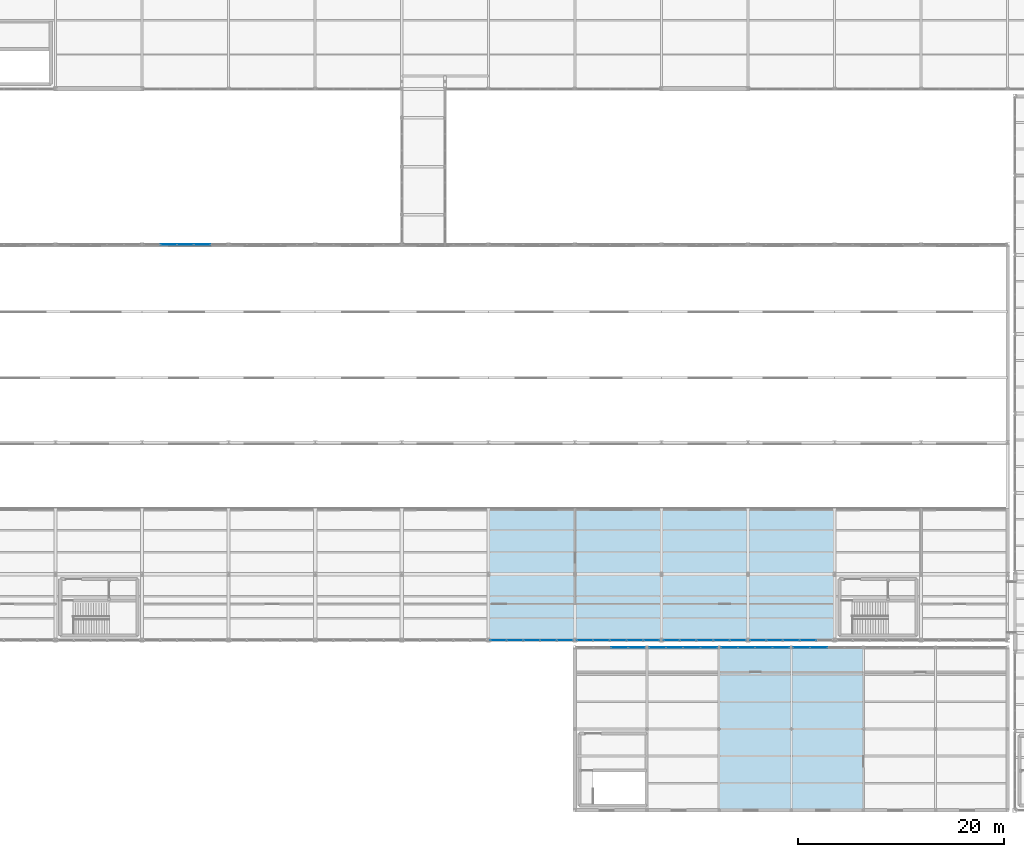
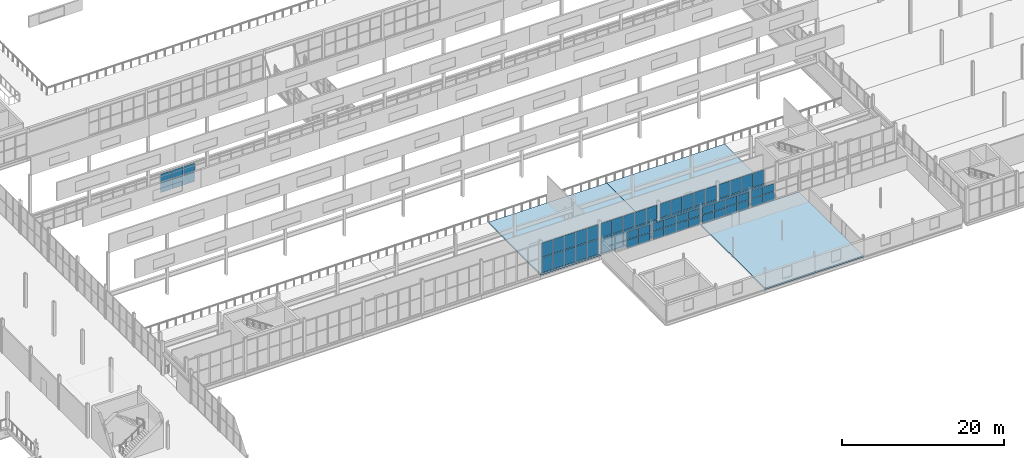
# One storey, part 181 of 218: 68 plates, 3 slabs, 9 elements without a shape of their own.
"""IFC4 building model written with IfcOpenShell, lengths in metres."""

from ifc_helpers import new_model, si_unit, direction, frame, origin, origin_2d, place, context, subcontext, project, spatial, polyline, rectangle, outline, extrude, material, layer, layer_set, type_object, element, aggregate, save


model = new_model("IFC4")

# Units and contexts
model_context = context("Model", 3, precision=1e-05, world=origin(), true_north=direction((0.0, 1.0)))
body_context = subcontext(model_context, "Body", "Model", "MODEL_VIEW")
ifc_project = project(units=[si_unit("LENGTHUNIT", "METRE"), si_unit("AREAUNIT", "SQUARE_METRE"), si_unit("VOLUMEUNIT", "CUBIC_METRE"), si_unit("PLANEANGLEUNIT", "RADIAN"), si_unit("MASSUNIT", "GRAM", prefix="KILO")], contexts=[model_context])

# Site, building, storey
site_placement = place(None, origin())
site = spatial("IfcSite", under=ifc_project, at=site_placement, CompositionType="ELEMENT")
building_placement = place(site_placement, origin())
building = spatial("IfcBuilding", under=site, at=building_placement, Name="Kazenagashi Tramway Depot", CompositionType="ELEMENT")
storey_placement = place(building_placement, frame((0.0, 0.0, 6.0)))
storey = spatial("IfcBuildingStorey", under=building, at=storey_placement, Name="L02", CompositionType="ELEMENT", Elevation=6.0)

# Curtain wall, plates
ifc_material_1 = material(Name="Anodised Aluminium and Low-E Glazing", Category="aluminium")
curtain_wall_type_1 = type_object("IfcCurtainWallType", Name="CW-32", PredefinedType="USERDEFINED", material=ifc_material_1)
curtain_wall_1_placement = place(storey_placement, origin())
curtain_wall_1 = element("IfcCurtainWall", 1, at=curtain_wall_1_placement, inside=storey, type_object=curtain_wall_type_1, Name="Industrial Glazed Screen CW-32 CW-0177", ObjectType="GLAZED SCREEN", PredefinedType="USERDEFINED")
ifc_material_2 = material(Name="Tempered Laminated Low-E Glass", Category="glass")
ifc_layer_1 = layer(ifc_material_2, 0.016)
ifc_layer_set_1 = layer_set([ifc_layer_1], Name="Tempered Laminated Low-E Glass")
plate_type_1 = type_object("IfcPlateType", Name="GL-01", PredefinedType="CURTAIN_PANEL", material=ifc_layer_set_1)
plate_1_placement = place(storey_placement, frame((125.595, 15.8, 0.06), z_axis=(0.0, 0.0, 1.0), x_axis=(1.0, 0.0, 0.0)))
plate_1 = element("IfcPlate", 2, at=plate_1_placement, type_object=plate_type_1, Name="CW-32 panel 1.1", PredefinedType="CURTAIN_PANEL", context=body_context, shape_type="SweptSolid", body=[
    extrude(rectangle(XDim=1.59, YDim=0.016, at=origin_2d()), origin(), (0.0, 0.0, 1.0), 1.262),
])
plate_2_placement = place(storey_placement, frame((125.595, 15.8, 1.382), z_axis=(0.0, 0.0, 1.0), x_axis=(1.0, 0.0, 0.0)))
plate_2 = element("IfcPlate", 3, at=plate_2_placement, type_object=plate_type_1, Name="CW-32 panel 1.2", PredefinedType="CURTAIN_PANEL", context=body_context, shape_type="SweptSolid", body=[
    extrude(rectangle(XDim=1.59, YDim=0.016, at=origin_2d()), origin(), (0.0, 0.0, 1.0), 1.158),
])
plate_3_placement = place(storey_placement, frame((127.26, 15.8, 0.06), z_axis=(0.0, 0.0, 1.0), x_axis=(1.0, 0.0, 0.0)))
plate_3 = element("IfcPlate", 4, at=plate_3_placement, type_object=plate_type_1, Name="CW-32 panel 2.1", PredefinedType="CURTAIN_PANEL", context=body_context, shape_type="SweptSolid", body=[
    extrude(rectangle(XDim=1.62, YDim=0.016, at=origin_2d()), origin(), (0.0, 0.0, 1.0), 1.262),
])
plate_4_placement = place(storey_placement, frame((127.26, 15.8, 1.382), z_axis=(0.0, 0.0, 1.0), x_axis=(1.0, 0.0, 0.0)))
plate_4 = element("IfcPlate", 5, at=plate_4_placement, type_object=plate_type_1, Name="CW-32 panel 2.2", PredefinedType="CURTAIN_PANEL", context=body_context, shape_type="SweptSolid", body=[
    extrude(rectangle(XDim=1.62, YDim=0.016, at=origin_2d()), origin(), (0.0, 0.0, 1.0), 1.158),
])
aggregate(curtain_wall_1, [plate_1, plate_2, plate_3, plate_4])

curtain_wall_type_2 = type_object("IfcCurtainWallType", Name="CW-20", PredefinedType="USERDEFINED", material=ifc_material_1)
curtain_wall_2_placement = place(storey_placement, origin())
curtain_wall_2 = element("IfcCurtainWall", 6, at=curtain_wall_2_placement, inside=storey, type_object=curtain_wall_type_2, Name="Industrial Glazed Screen CW-20 CW-0101", ObjectType="GLAZED SCREEN", PredefinedType="USERDEFINED")
ifc_layer_2 = layer(ifc_material_2, 0.024)
ifc_layer_set_2 = layer_set([ifc_layer_2], Name="Tempered Laminated Low-E Glass")
plate_type_2 = type_object("IfcPlateType", Name="GL-05", PredefinedType="CURTAIN_PANEL", material=ifc_layer_set_2)
plate_5_placement = place(storey_placement, frame((96.167, 16.5, 0.06), z_axis=(0.0, 0.0, 1.0), x_axis=(1.0, 0.0, 0.0)))
plate_5 = element("IfcPlate", 7, at=plate_5_placement, type_object=plate_type_2, Name="CW-20 panel 1.1", PredefinedType="CURTAIN_PANEL", context=body_context, shape_type="SweptSolid", body=[
    extrude(rectangle(XDim=1.534, YDim=0.024, at=origin_2d()), origin(), (0.0, 0.0, 1.0), 2.302),
])
plate_6_placement = place(storey_placement, frame((96.167, 16.5, 2.422), z_axis=(0.0, 0.0, 1.0), x_axis=(1.0, 0.0, 0.0)))
plate_6 = element("IfcPlate", 8, at=plate_6_placement, type_object=plate_type_2, Name="CW-20 panel 1.2", PredefinedType="CURTAIN_PANEL", context=body_context, shape_type="SweptSolid", body=[
    extrude(rectangle(XDim=1.534, YDim=0.024, at=origin_2d()), origin(), (0.0, 0.0, 1.0), 2.118),
])
plate_7_placement = place(storey_placement, frame((97.776, 16.5, 0.06), z_axis=(0.0, 0.0, 1.0), x_axis=(1.0, 0.0, 0.0)))
plate_7 = element("IfcPlate", 9, at=plate_7_placement, type_object=plate_type_2, Name="CW-20 panel 2.1", PredefinedType="CURTAIN_PANEL", context=body_context, shape_type="SweptSolid", body=[
    extrude(rectangle(XDim=1.564, YDim=0.024, at=origin_2d()), origin(), (0.0, 0.0, 1.0), 2.302),
])
plate_8_placement = place(storey_placement, frame((97.776, 16.5, 2.422), z_axis=(0.0, 0.0, 1.0), x_axis=(1.0, 0.0, 0.0)))
plate_8 = element("IfcPlate", 10, at=plate_8_placement, type_object=plate_type_2, Name="CW-20 panel 2.2", PredefinedType="CURTAIN_PANEL", context=body_context, shape_type="SweptSolid", body=[
    extrude(rectangle(XDim=1.564, YDim=0.024, at=origin_2d()), origin(), (0.0, 0.0, 1.0), 2.118),
])
plate_9_placement = place(storey_placement, frame((99.4, 16.5, 0.06), z_axis=(0.0, 0.0, 1.0), x_axis=(1.0, 0.0, 0.0)))
plate_9 = element("IfcPlate", 11, at=plate_9_placement, type_object=plate_type_2, Name="CW-20 panel 3.1", PredefinedType="CURTAIN_PANEL", context=body_context, shape_type="SweptSolid", body=[
    extrude(rectangle(XDim=1.564, YDim=0.024, at=origin_2d()), origin(), (0.0, 0.0, 1.0), 2.302),
])
plate_10_placement = place(storey_placement, frame((99.4, 16.5, 2.422), z_axis=(0.0, 0.0, 1.0), x_axis=(1.0, 0.0, 0.0)))
plate_10 = element("IfcPlate", 12, at=plate_10_placement, type_object=plate_type_2, Name="CW-20 panel 3.2", PredefinedType="CURTAIN_PANEL", context=body_context, shape_type="SweptSolid", body=[
    extrude(rectangle(XDim=1.564, YDim=0.024, at=origin_2d()), origin(), (0.0, 0.0, 1.0), 2.118),
])
plate_11_placement = place(storey_placement, frame((101.024, 16.5, 0.06), z_axis=(0.0, 0.0, 1.0), x_axis=(1.0, 0.0, 0.0)))
plate_11 = element("IfcPlate", 13, at=plate_11_placement, type_object=plate_type_2, Name="CW-20 panel 4.1", PredefinedType="CURTAIN_PANEL", context=body_context, shape_type="SweptSolid", body=[
    extrude(rectangle(XDim=1.564, YDim=0.024, at=origin_2d()), origin(), (0.0, 0.0, 1.0), 2.302),
])
plate_12_placement = place(storey_placement, frame((101.024, 16.5, 2.422), z_axis=(0.0, 0.0, 1.0), x_axis=(1.0, 0.0, 0.0)))
plate_12 = element("IfcPlate", 14, at=plate_12_placement, type_object=plate_type_2, Name="CW-20 panel 4.2", PredefinedType="CURTAIN_PANEL", context=body_context, shape_type="SweptSolid", body=[
    extrude(rectangle(XDim=1.564, YDim=0.024, at=origin_2d()), origin(), (0.0, 0.0, 1.0), 2.118),
])
plate_13_placement = place(storey_placement, frame((102.633, 16.5, 0.06), z_axis=(0.0, 0.0, 1.0), x_axis=(1.0, 0.0, 0.0)))
plate_13 = element("IfcPlate", 15, at=plate_13_placement, type_object=plate_type_2, Name="CW-20 panel 5.1", PredefinedType="CURTAIN_PANEL", context=body_context, shape_type="SweptSolid", body=[
    extrude(rectangle(XDim=1.534, YDim=0.024, at=origin_2d()), origin(), (0.0, 0.0, 1.0), 2.302),
])
plate_14_placement = place(storey_placement, frame((102.633, 16.5, 2.422), z_axis=(0.0, 0.0, 1.0), x_axis=(1.0, 0.0, 0.0)))
plate_14 = element("IfcPlate", 16, at=plate_14_placement, type_object=plate_type_2, Name="CW-20 panel 5.2", PredefinedType="CURTAIN_PANEL", context=body_context, shape_type="SweptSolid", body=[
    extrude(rectangle(XDim=1.534, YDim=0.024, at=origin_2d()), origin(), (0.0, 0.0, 1.0), 2.118),
])
aggregate(curtain_wall_2, [plate_5, plate_6, plate_7, plate_8, plate_9, plate_10, plate_11, plate_12, plate_13, plate_14])

curtain_wall_3_placement = place(storey_placement, origin())
curtain_wall_3 = element("IfcCurtainWall", 17, at=curtain_wall_3_placement, inside=storey, type_object=curtain_wall_type_2, Name="Industrial Glazed Screen CW-20 CW-0102", ObjectType="GLAZED SCREEN", PredefinedType="USERDEFINED")
ifc_layer_3 = layer(ifc_material_2, 0.026)
ifc_layer_set_3 = layer_set([ifc_layer_3], Name="Tempered Laminated Low-E Glass")
plate_type_3 = type_object("IfcPlateType", Name="GL-06", PredefinedType="CURTAIN_PANEL", material=ifc_layer_set_3)
plate_15_placement = place(storey_placement, frame((104.567, 16.5, 0.06), z_axis=(0.0, 0.0, 1.0), x_axis=(1.0, 0.0, 0.0)))
plate_15 = element("IfcPlate", 18, at=plate_15_placement, type_object=plate_type_3, Name="CW-20 panel 1.1", PredefinedType="CURTAIN_PANEL", context=body_context, shape_type="SweptSolid", body=[
    extrude(rectangle(XDim=1.534, YDim=0.026, at=origin_2d()), origin(), (0.0, 0.0, 1.0), 2.302),
])
plate_16_placement = place(storey_placement, frame((104.567, 16.5, 2.422), z_axis=(0.0, 0.0, 1.0), x_axis=(1.0, 0.0, 0.0)))
plate_16 = element("IfcPlate", 19, at=plate_16_placement, type_object=plate_type_3, Name="CW-20 panel 1.2", PredefinedType="CURTAIN_PANEL", context=body_context, shape_type="SweptSolid", body=[
    extrude(rectangle(XDim=1.534, YDim=0.026, at=origin_2d()), origin(), (0.0, 0.0, 1.0), 2.118),
])
plate_17_placement = place(storey_placement, frame((106.176, 16.5, 0.06), z_axis=(0.0, 0.0, 1.0), x_axis=(1.0, 0.0, 0.0)))
plate_17 = element("IfcPlate", 20, at=plate_17_placement, type_object=plate_type_3, Name="CW-20 panel 2.1", PredefinedType="CURTAIN_PANEL", context=body_context, shape_type="SweptSolid", body=[
    extrude(rectangle(XDim=1.564, YDim=0.026, at=origin_2d()), origin(), (0.0, 0.0, 1.0), 2.302),
])
plate_18_placement = place(storey_placement, frame((106.176, 16.5, 2.422), z_axis=(0.0, 0.0, 1.0), x_axis=(1.0, 0.0, 0.0)))
plate_18 = element("IfcPlate", 21, at=plate_18_placement, type_object=plate_type_3, Name="CW-20 panel 2.2", PredefinedType="CURTAIN_PANEL", context=body_context, shape_type="SweptSolid", body=[
    extrude(rectangle(XDim=1.564, YDim=0.026, at=origin_2d()), origin(), (0.0, 0.0, 1.0), 2.118),
])
plate_19_placement = place(storey_placement, frame((107.8, 16.5, 0.06), z_axis=(0.0, 0.0, 1.0), x_axis=(1.0, 0.0, 0.0)))
plate_19 = element("IfcPlate", 22, at=plate_19_placement, type_object=plate_type_3, Name="CW-20 panel 3.1", PredefinedType="CURTAIN_PANEL", context=body_context, shape_type="SweptSolid", body=[
    extrude(rectangle(XDim=1.564, YDim=0.026, at=origin_2d()), origin(), (0.0, 0.0, 1.0), 2.302),
])
plate_20_placement = place(storey_placement, frame((107.8, 16.5, 2.422), z_axis=(0.0, 0.0, 1.0), x_axis=(1.0, 0.0, 0.0)))
plate_20 = element("IfcPlate", 23, at=plate_20_placement, type_object=plate_type_3, Name="CW-20 panel 3.2", PredefinedType="CURTAIN_PANEL", context=body_context, shape_type="SweptSolid", body=[
    extrude(rectangle(XDim=1.564, YDim=0.026, at=origin_2d()), origin(), (0.0, 0.0, 1.0), 2.118),
])
plate_21_placement = place(storey_placement, frame((109.424, 16.5, 0.06), z_axis=(0.0, 0.0, 1.0), x_axis=(1.0, 0.0, 0.0)))
plate_21 = element("IfcPlate", 24, at=plate_21_placement, type_object=plate_type_3, Name="CW-20 panel 4.1", PredefinedType="CURTAIN_PANEL", context=body_context, shape_type="SweptSolid", body=[
    extrude(rectangle(XDim=1.564, YDim=0.026, at=origin_2d()), origin(), (0.0, 0.0, 1.0), 2.302),
])
plate_22_placement = place(storey_placement, frame((109.424, 16.5, 2.422), z_axis=(0.0, 0.0, 1.0), x_axis=(1.0, 0.0, 0.0)))
plate_22 = element("IfcPlate", 25, at=plate_22_placement, type_object=plate_type_3, Name="CW-20 panel 4.2", PredefinedType="CURTAIN_PANEL", context=body_context, shape_type="SweptSolid", body=[
    extrude(rectangle(XDim=1.564, YDim=0.026, at=origin_2d()), origin(), (0.0, 0.0, 1.0), 2.118),
])
plate_23_placement = place(storey_placement, frame((111.033, 16.5, 0.06), z_axis=(0.0, 0.0, 1.0), x_axis=(1.0, 0.0, 0.0)))
plate_23 = element("IfcPlate", 26, at=plate_23_placement, type_object=plate_type_3, Name="CW-20 panel 5.1", PredefinedType="CURTAIN_PANEL", context=body_context, shape_type="SweptSolid", body=[
    extrude(rectangle(XDim=1.534, YDim=0.026, at=origin_2d()), origin(), (0.0, 0.0, 1.0), 2.302),
])
plate_24_placement = place(storey_placement, frame((111.033, 16.5, 2.422), z_axis=(0.0, 0.0, 1.0), x_axis=(1.0, 0.0, 0.0)))
plate_24 = element("IfcPlate", 27, at=plate_24_placement, type_object=plate_type_3, Name="CW-20 panel 5.2", PredefinedType="CURTAIN_PANEL", context=body_context, shape_type="SweptSolid", body=[
    extrude(rectangle(XDim=1.534, YDim=0.026, at=origin_2d()), origin(), (0.0, 0.0, 1.0), 2.118),
])
aggregate(curtain_wall_3, [plate_15, plate_16, plate_17, plate_18, plate_19, plate_20, plate_21, plate_22, plate_23, plate_24])

curtain_wall_4_placement = place(storey_placement, origin())
curtain_wall_4 = element("IfcCurtainWall", 28, at=curtain_wall_4_placement, inside=storey, type_object=curtain_wall_type_2, Name="Industrial Glazed Screen CW-20 CW-0103", ObjectType="GLAZED SCREEN", PredefinedType="USERDEFINED")
ifc_layer_4 = layer(ifc_material_2, 0.028)
ifc_layer_set_4 = layer_set([ifc_layer_4], Name="Tempered Laminated Low-E Glass")
plate_type_4 = type_object("IfcPlateType", Name="GL-07", PredefinedType="CURTAIN_PANEL", material=ifc_layer_set_4)
plate_25_placement = place(storey_placement, frame((112.967, 16.5, 0.06), z_axis=(0.0, 0.0, 1.0), x_axis=(1.0, 0.0, 0.0)))
plate_25 = element("IfcPlate", 29, at=plate_25_placement, type_object=plate_type_4, Name="CW-20 panel 1.1", PredefinedType="CURTAIN_PANEL", context=body_context, shape_type="SweptSolid", body=[
    extrude(rectangle(XDim=1.534, YDim=0.028, at=origin_2d()), origin(), (0.0, 0.0, 1.0), 2.302),
])
plate_26_placement = place(storey_placement, frame((112.967, 16.5, 2.422), z_axis=(0.0, 0.0, 1.0), x_axis=(1.0, 0.0, 0.0)))
plate_26 = element("IfcPlate", 30, at=plate_26_placement, type_object=plate_type_4, Name="CW-20 panel 1.2", PredefinedType="CURTAIN_PANEL", context=body_context, shape_type="SweptSolid", body=[
    extrude(rectangle(XDim=1.534, YDim=0.028, at=origin_2d()), origin(), (0.0, 0.0, 1.0), 2.118),
])
plate_27_placement = place(storey_placement, frame((114.576, 16.5, 0.06), z_axis=(0.0, 0.0, 1.0), x_axis=(1.0, 0.0, 0.0)))
plate_27 = element("IfcPlate", 31, at=plate_27_placement, type_object=plate_type_4, Name="CW-20 panel 2.1", PredefinedType="CURTAIN_PANEL", context=body_context, shape_type="SweptSolid", body=[
    extrude(rectangle(XDim=1.564, YDim=0.028, at=origin_2d()), origin(), (0.0, 0.0, 1.0), 2.302),
])
plate_28_placement = place(storey_placement, frame((114.576, 16.5, 2.422), z_axis=(0.0, 0.0, 1.0), x_axis=(1.0, 0.0, 0.0)))
plate_28 = element("IfcPlate", 32, at=plate_28_placement, type_object=plate_type_4, Name="CW-20 panel 2.2", PredefinedType="CURTAIN_PANEL", context=body_context, shape_type="SweptSolid", body=[
    extrude(rectangle(XDim=1.564, YDim=0.028, at=origin_2d()), origin(), (0.0, 0.0, 1.0), 2.118),
])
plate_29_placement = place(storey_placement, frame((116.2, 16.5, 0.06), z_axis=(0.0, 0.0, 1.0), x_axis=(1.0, 0.0, 0.0)))
plate_29 = element("IfcPlate", 33, at=plate_29_placement, type_object=plate_type_4, Name="CW-20 panel 3.1", PredefinedType="CURTAIN_PANEL", context=body_context, shape_type="SweptSolid", body=[
    extrude(rectangle(XDim=1.564, YDim=0.028, at=origin_2d()), origin(), (0.0, 0.0, 1.0), 2.302),
])
plate_30_placement = place(storey_placement, frame((116.2, 16.5, 2.422), z_axis=(0.0, 0.0, 1.0), x_axis=(1.0, 0.0, 0.0)))
plate_30 = element("IfcPlate", 34, at=plate_30_placement, type_object=plate_type_4, Name="CW-20 panel 3.2", PredefinedType="CURTAIN_PANEL", context=body_context, shape_type="SweptSolid", body=[
    extrude(rectangle(XDim=1.564, YDim=0.028, at=origin_2d()), origin(), (0.0, 0.0, 1.0), 2.118),
])
plate_31_placement = place(storey_placement, frame((117.824, 16.5, 0.06), z_axis=(0.0, 0.0, 1.0), x_axis=(1.0, 0.0, 0.0)))
plate_31 = element("IfcPlate", 35, at=plate_31_placement, type_object=plate_type_4, Name="CW-20 panel 4.1", PredefinedType="CURTAIN_PANEL", context=body_context, shape_type="SweptSolid", body=[
    extrude(rectangle(XDim=1.564, YDim=0.028, at=origin_2d()), origin(), (0.0, 0.0, 1.0), 2.302),
])
plate_32_placement = place(storey_placement, frame((117.824, 16.5, 2.422), z_axis=(0.0, 0.0, 1.0), x_axis=(1.0, 0.0, 0.0)))
plate_32 = element("IfcPlate", 36, at=plate_32_placement, type_object=plate_type_4, Name="CW-20 panel 4.2", PredefinedType="CURTAIN_PANEL", context=body_context, shape_type="SweptSolid", body=[
    extrude(rectangle(XDim=1.564, YDim=0.028, at=origin_2d()), origin(), (0.0, 0.0, 1.0), 2.118),
])
plate_33_placement = place(storey_placement, frame((119.433, 16.5, 0.06), z_axis=(0.0, 0.0, 1.0), x_axis=(1.0, 0.0, 0.0)))
plate_33 = element("IfcPlate", 37, at=plate_33_placement, type_object=plate_type_4, Name="CW-20 panel 5.1", PredefinedType="CURTAIN_PANEL", context=body_context, shape_type="SweptSolid", body=[
    extrude(rectangle(XDim=1.534, YDim=0.028, at=origin_2d()), origin(), (0.0, 0.0, 1.0), 2.302),
])
plate_34_placement = place(storey_placement, frame((119.433, 16.5, 2.422), z_axis=(0.0, 0.0, 1.0), x_axis=(1.0, 0.0, 0.0)))
plate_34 = element("IfcPlate", 38, at=plate_34_placement, type_object=plate_type_4, Name="CW-20 panel 5.2", PredefinedType="CURTAIN_PANEL", context=body_context, shape_type="SweptSolid", body=[
    extrude(rectangle(XDim=1.534, YDim=0.028, at=origin_2d()), origin(), (0.0, 0.0, 1.0), 2.118),
])
aggregate(curtain_wall_4, [plate_25, plate_26, plate_27, plate_28, plate_29, plate_30, plate_31, plate_32, plate_33, plate_34])

curtain_wall_5_placement = place(storey_placement, origin())
curtain_wall_5 = element("IfcCurtainWall", 39, at=curtain_wall_5_placement, inside=storey, type_object=curtain_wall_type_2, Name="Industrial Glazed Screen CW-20 CW-0104", ObjectType="GLAZED SCREEN", PredefinedType="USERDEFINED")
ifc_layer_5 = layer(ifc_material_2, 0.03)
ifc_layer_set_5 = layer_set([ifc_layer_5], Name="Tempered Laminated Low-E Glass")
plate_type_5 = type_object("IfcPlateType", Name="GL-08", PredefinedType="CURTAIN_PANEL", material=ifc_layer_set_5)
plate_35_placement = place(storey_placement, frame((121.367, 16.5, 0.06), z_axis=(0.0, 0.0, 1.0), x_axis=(1.0, 0.0, 0.0)))
plate_35 = element("IfcPlate", 40, at=plate_35_placement, type_object=plate_type_5, Name="CW-20 panel 1.1", PredefinedType="CURTAIN_PANEL", context=body_context, shape_type="SweptSolid", body=[
    extrude(rectangle(XDim=1.534, YDim=0.03, at=origin_2d()), origin(), (0.0, 0.0, 1.0), 2.302),
])
plate_36_placement = place(storey_placement, frame((121.367, 16.5, 2.422), z_axis=(0.0, 0.0, 1.0), x_axis=(1.0, 0.0, 0.0)))
plate_36 = element("IfcPlate", 41, at=plate_36_placement, type_object=plate_type_5, Name="CW-20 panel 1.2", PredefinedType="CURTAIN_PANEL", context=body_context, shape_type="SweptSolid", body=[
    extrude(rectangle(XDim=1.534, YDim=0.03, at=origin_2d()), origin(), (0.0, 0.0, 1.0), 2.118),
])
plate_37_placement = place(storey_placement, frame((122.976, 16.5, 0.06), z_axis=(0.0, 0.0, 1.0), x_axis=(1.0, 0.0, 0.0)))
plate_37 = element("IfcPlate", 42, at=plate_37_placement, type_object=plate_type_5, Name="CW-20 panel 2.1", PredefinedType="CURTAIN_PANEL", context=body_context, shape_type="SweptSolid", body=[
    extrude(rectangle(XDim=1.564, YDim=0.03, at=origin_2d()), origin(), (0.0, 0.0, 1.0), 2.302),
])
plate_38_placement = place(storey_placement, frame((122.976, 16.5, 2.422), z_axis=(0.0, 0.0, 1.0), x_axis=(1.0, 0.0, 0.0)))
plate_38 = element("IfcPlate", 43, at=plate_38_placement, type_object=plate_type_5, Name="CW-20 panel 2.2", PredefinedType="CURTAIN_PANEL", context=body_context, shape_type="SweptSolid", body=[
    extrude(rectangle(XDim=1.564, YDim=0.03, at=origin_2d()), origin(), (0.0, 0.0, 1.0), 2.118),
])
plate_39_placement = place(storey_placement, frame((124.6, 16.5, 0.06), z_axis=(0.0, 0.0, 1.0), x_axis=(1.0, 0.0, 0.0)))
plate_39 = element("IfcPlate", 44, at=plate_39_placement, type_object=plate_type_5, Name="CW-20 panel 3.1", PredefinedType="CURTAIN_PANEL", context=body_context, shape_type="SweptSolid", body=[
    extrude(rectangle(XDim=1.564, YDim=0.03, at=origin_2d()), origin(), (0.0, 0.0, 1.0), 2.302),
])
plate_40_placement = place(storey_placement, frame((124.6, 16.5, 2.422), z_axis=(0.0, 0.0, 1.0), x_axis=(1.0, 0.0, 0.0)))
plate_40 = element("IfcPlate", 45, at=plate_40_placement, type_object=plate_type_5, Name="CW-20 panel 3.2", PredefinedType="CURTAIN_PANEL", context=body_context, shape_type="SweptSolid", body=[
    extrude(rectangle(XDim=1.564, YDim=0.03, at=origin_2d()), origin(), (0.0, 0.0, 1.0), 2.118),
])
plate_41_placement = place(storey_placement, frame((126.224, 16.5, 0.06), z_axis=(0.0, 0.0, 1.0), x_axis=(1.0, 0.0, 0.0)))
plate_41 = element("IfcPlate", 46, at=plate_41_placement, type_object=plate_type_5, Name="CW-20 panel 4.1", PredefinedType="CURTAIN_PANEL", context=body_context, shape_type="SweptSolid", body=[
    extrude(rectangle(XDim=1.564, YDim=0.03, at=origin_2d()), origin(), (0.0, 0.0, 1.0), 2.302),
])
plate_42_placement = place(storey_placement, frame((126.224, 16.5, 2.422), z_axis=(0.0, 0.0, 1.0), x_axis=(1.0, 0.0, 0.0)))
plate_42 = element("IfcPlate", 47, at=plate_42_placement, type_object=plate_type_5, Name="CW-20 panel 4.2", PredefinedType="CURTAIN_PANEL", context=body_context, shape_type="SweptSolid", body=[
    extrude(rectangle(XDim=1.564, YDim=0.03, at=origin_2d()), origin(), (0.0, 0.0, 1.0), 2.118),
])
aggregate(curtain_wall_5, [plate_35, plate_36, plate_37, plate_38, plate_39, plate_40, plate_41, plate_42])

curtain_wall_type_3 = type_object("IfcCurtainWallType", Name="CW-21", PredefinedType="USERDEFINED", material=ifc_material_1)
curtain_wall_6_placement = place(storey_placement, origin())
curtain_wall_6 = element("IfcCurtainWall", 48, at=curtain_wall_6_placement, inside=storey, type_object=curtain_wall_type_3, Name="Industrial Glazed Screen CW-21 CW-0109", ObjectType="GLAZED SCREEN", PredefinedType="USERDEFINED")
ifc_layer_6 = layer(ifc_material_2, 0.04)
ifc_layer_set_6 = layer_set([ifc_layer_6], Name="Tempered Laminated Low-E Glass")
plate_type_6 = type_object("IfcPlateType", Name="GL-13", PredefinedType="CURTAIN_PANEL", material=ifc_layer_set_6)
plate_43_placement = place(storey_placement, frame((64.176, 54.9, 0.06), z_axis=(0.0, 0.0, 1.0), x_axis=(1.0, 0.0, 0.0)))
plate_43 = element("IfcPlate", 49, at=plate_43_placement, type_object=plate_type_6, Name="CW-21 panel 2.1", PredefinedType="CURTAIN_PANEL", context=body_context, shape_type="SweptSolid", body=[
    extrude(rectangle(XDim=1.564, YDim=0.04, at=origin_2d()), origin(), (0.0, 0.0, 1.0), 1.418),
])
plate_44_placement = place(storey_placement, frame((64.176, 54.9, 1.538), z_axis=(0.0, 0.0, 1.0), x_axis=(1.0, 0.0, 0.0)))
plate_44 = element("IfcPlate", 50, at=plate_44_placement, type_object=plate_type_6, Name="CW-21 panel 2.2", PredefinedType="CURTAIN_PANEL", context=body_context, shape_type="SweptSolid", body=[
    extrude(rectangle(XDim=1.564, YDim=0.04, at=origin_2d()), origin(), (0.0, 0.0, 1.0), 1.302),
])
plate_45_placement = place(storey_placement, frame((65.8, 54.9, 0.06), z_axis=(0.0, 0.0, 1.0), x_axis=(1.0, 0.0, 0.0)))
plate_45 = element("IfcPlate", 51, at=plate_45_placement, type_object=plate_type_6, Name="CW-21 panel 3.1", PredefinedType="CURTAIN_PANEL", context=body_context, shape_type="SweptSolid", body=[
    extrude(rectangle(XDim=1.564, YDim=0.04, at=origin_2d()), origin(), (0.0, 0.0, 1.0), 1.418),
])
plate_46_placement = place(storey_placement, frame((65.8, 54.9, 1.538), z_axis=(0.0, 0.0, 1.0), x_axis=(1.0, 0.0, 0.0)))
plate_46 = element("IfcPlate", 52, at=plate_46_placement, type_object=plate_type_6, Name="CW-21 panel 3.2", PredefinedType="CURTAIN_PANEL", context=body_context, shape_type="SweptSolid", body=[
    extrude(rectangle(XDim=1.564, YDim=0.04, at=origin_2d()), origin(), (0.0, 0.0, 1.0), 1.302),
])
plate_47_placement = place(storey_placement, frame((67.424, 54.9, 0.06), z_axis=(0.0, 0.0, 1.0), x_axis=(1.0, 0.0, 0.0)))
plate_47 = element("IfcPlate", 53, at=plate_47_placement, type_object=plate_type_6, Name="CW-21 panel 4.1", PredefinedType="CURTAIN_PANEL", context=body_context, shape_type="SweptSolid", body=[
    extrude(rectangle(XDim=1.564, YDim=0.04, at=origin_2d()), origin(), (0.0, 0.0, 1.0), 1.418),
])
plate_48_placement = place(storey_placement, frame((67.424, 54.9, 1.538), z_axis=(0.0, 0.0, 1.0), x_axis=(1.0, 0.0, 0.0)))
plate_48 = element("IfcPlate", 54, at=plate_48_placement, type_object=plate_type_6, Name="CW-21 panel 4.2", PredefinedType="CURTAIN_PANEL", context=body_context, shape_type="SweptSolid", body=[
    extrude(rectangle(XDim=1.564, YDim=0.04, at=origin_2d()), origin(), (0.0, 0.0, 1.0), 1.302),
])
aggregate(curtain_wall_6, [plate_43, plate_44, plate_45, plate_46, plate_47, plate_48])

curtain_wall_7_placement = place(storey_placement, origin())
curtain_wall_7 = element("IfcCurtainWall", 55, at=curtain_wall_7_placement, inside=storey, type_object=curtain_wall_type_1, Name="Industrial Glazed Screen CW-32 CW-0174", ObjectType="GLAZED SCREEN", PredefinedType="USERDEFINED")
ifc_layer_7 = layer(ifc_material_2, 0.042)
ifc_layer_set_7 = layer_set([ifc_layer_7], Name="Tempered Laminated Low-E Glass")
plate_type_7 = type_object("IfcPlateType", Name="GL-14", PredefinedType="CURTAIN_PANEL", material=ifc_layer_set_7)
plate_49_placement = place(storey_placement, frame((107.94, 15.8, 0.06), z_axis=(0.0, 0.0, 1.0), x_axis=(1.0, 0.0, 0.0)))
plate_49 = element("IfcPlate", 56, at=plate_49_placement, type_object=plate_type_7, Name="CW-32 panel 3.1", PredefinedType="CURTAIN_PANEL", context=body_context, shape_type="SweptSolid", body=[
    extrude(rectangle(XDim=1.62, YDim=0.042, at=origin_2d()), origin(), (0.0, 0.0, 1.0), 1.262),
])
plate_50_placement = place(storey_placement, frame((107.94, 15.8, 1.382), z_axis=(0.0, 0.0, 1.0), x_axis=(1.0, 0.0, 0.0)))
plate_50 = element("IfcPlate", 57, at=plate_50_placement, type_object=plate_type_7, Name="CW-32 panel 3.2", PredefinedType="CURTAIN_PANEL", context=body_context, shape_type="SweptSolid", body=[
    extrude(rectangle(XDim=1.62, YDim=0.042, at=origin_2d()), origin(), (0.0, 0.0, 1.0), 1.158),
])
plate_51_placement = place(storey_placement, frame((109.605, 15.8, 0.06), z_axis=(0.0, 0.0, 1.0), x_axis=(1.0, 0.0, 0.0)))
plate_51 = element("IfcPlate", 58, at=plate_51_placement, type_object=plate_type_7, Name="CW-32 panel 4.1", PredefinedType="CURTAIN_PANEL", context=body_context, shape_type="SweptSolid", body=[
    extrude(rectangle(XDim=1.59, YDim=0.042, at=origin_2d()), origin(), (0.0, 0.0, 1.0), 1.262),
])
plate_52_placement = place(storey_placement, frame((109.605, 15.8, 1.382), z_axis=(0.0, 0.0, 1.0), x_axis=(1.0, 0.0, 0.0)))
plate_52 = element("IfcPlate", 59, at=plate_52_placement, type_object=plate_type_7, Name="CW-32 panel 4.2", PredefinedType="CURTAIN_PANEL", context=body_context, shape_type="SweptSolid", body=[
    extrude(rectangle(XDim=1.59, YDim=0.042, at=origin_2d()), origin(), (0.0, 0.0, 1.0), 1.158),
])
aggregate(curtain_wall_7, [plate_49, plate_50, plate_51, plate_52])

curtain_wall_8_placement = place(storey_placement, origin())
curtain_wall_8 = element("IfcCurtainWall", 60, at=curtain_wall_8_placement, inside=storey, type_object=curtain_wall_type_1, Name="Industrial Glazed Screen CW-32 CW-0175", ObjectType="GLAZED SCREEN", PredefinedType="USERDEFINED")
ifc_layer_8 = layer(ifc_material_2, 0.044)
ifc_layer_set_8 = layer_set([ifc_layer_8], Name="Tempered Laminated Low-E Glass")
plate_type_8 = type_object("IfcPlateType", Name="GL-15", PredefinedType="CURTAIN_PANEL", material=ifc_layer_set_8)
plate_53_placement = place(storey_placement, frame((111.595, 15.8, 0.06), z_axis=(0.0, 0.0, 1.0), x_axis=(1.0, 0.0, 0.0)))
plate_53 = element("IfcPlate", 61, at=plate_53_placement, type_object=plate_type_8, Name="CW-32 panel 1.1", PredefinedType="CURTAIN_PANEL", context=body_context, shape_type="SweptSolid", body=[
    extrude(rectangle(XDim=1.59, YDim=0.044, at=origin_2d()), origin(), (0.0, 0.0, 1.0), 1.262),
])
plate_54_placement = place(storey_placement, frame((111.595, 15.8, 1.382), z_axis=(0.0, 0.0, 1.0), x_axis=(1.0, 0.0, 0.0)))
plate_54 = element("IfcPlate", 62, at=plate_54_placement, type_object=plate_type_8, Name="CW-32 panel 1.2", PredefinedType="CURTAIN_PANEL", context=body_context, shape_type="SweptSolid", body=[
    extrude(rectangle(XDim=1.59, YDim=0.044, at=origin_2d()), origin(), (0.0, 0.0, 1.0), 1.158),
])
plate_55_placement = place(storey_placement, frame((113.26, 15.8, 0.06), z_axis=(0.0, 0.0, 1.0), x_axis=(1.0, 0.0, 0.0)))
plate_55 = element("IfcPlate", 63, at=plate_55_placement, type_object=plate_type_8, Name="CW-32 panel 2.1", PredefinedType="CURTAIN_PANEL", context=body_context, shape_type="SweptSolid", body=[
    extrude(rectangle(XDim=1.62, YDim=0.044, at=origin_2d()), origin(), (0.0, 0.0, 1.0), 1.262),
])
plate_56_placement = place(storey_placement, frame((113.26, 15.8, 1.382), z_axis=(0.0, 0.0, 1.0), x_axis=(1.0, 0.0, 0.0)))
plate_56 = element("IfcPlate", 64, at=plate_56_placement, type_object=plate_type_8, Name="CW-32 panel 2.2", PredefinedType="CURTAIN_PANEL", context=body_context, shape_type="SweptSolid", body=[
    extrude(rectangle(XDim=1.62, YDim=0.044, at=origin_2d()), origin(), (0.0, 0.0, 1.0), 1.158),
])
plate_57_placement = place(storey_placement, frame((114.94, 15.8, 0.06), z_axis=(0.0, 0.0, 1.0), x_axis=(1.0, 0.0, 0.0)))
plate_57 = element("IfcPlate", 65, at=plate_57_placement, type_object=plate_type_8, Name="CW-32 panel 3.1", PredefinedType="CURTAIN_PANEL", context=body_context, shape_type="SweptSolid", body=[
    extrude(rectangle(XDim=1.62, YDim=0.044, at=origin_2d()), origin(), (0.0, 0.0, 1.0), 1.262),
])
plate_58_placement = place(storey_placement, frame((114.94, 15.8, 1.382), z_axis=(0.0, 0.0, 1.0), x_axis=(1.0, 0.0, 0.0)))
plate_58 = element("IfcPlate", 66, at=plate_58_placement, type_object=plate_type_8, Name="CW-32 panel 3.2", PredefinedType="CURTAIN_PANEL", context=body_context, shape_type="SweptSolid", body=[
    extrude(rectangle(XDim=1.62, YDim=0.044, at=origin_2d()), origin(), (0.0, 0.0, 1.0), 1.158),
])
plate_59_placement = place(storey_placement, frame((116.605, 15.8, 0.06), z_axis=(0.0, 0.0, 1.0), x_axis=(1.0, 0.0, 0.0)))
plate_59 = element("IfcPlate", 67, at=plate_59_placement, type_object=plate_type_8, Name="CW-32 panel 4.1", PredefinedType="CURTAIN_PANEL", context=body_context, shape_type="SweptSolid", body=[
    extrude(rectangle(XDim=1.59, YDim=0.044, at=origin_2d()), origin(), (0.0, 0.0, 1.0), 1.262),
])
plate_60_placement = place(storey_placement, frame((116.605, 15.8, 1.382), z_axis=(0.0, 0.0, 1.0), x_axis=(1.0, 0.0, 0.0)))
plate_60 = element("IfcPlate", 68, at=plate_60_placement, type_object=plate_type_8, Name="CW-32 panel 4.2", PredefinedType="CURTAIN_PANEL", context=body_context, shape_type="SweptSolid", body=[
    extrude(rectangle(XDim=1.59, YDim=0.044, at=origin_2d()), origin(), (0.0, 0.0, 1.0), 1.158),
])
aggregate(curtain_wall_8, [plate_53, plate_54, plate_55, plate_56, plate_57, plate_58, plate_59, plate_60])

curtain_wall_9_placement = place(storey_placement, origin())
curtain_wall_9 = element("IfcCurtainWall", 69, at=curtain_wall_9_placement, inside=storey, type_object=curtain_wall_type_1, Name="Industrial Glazed Screen CW-32 CW-0176", ObjectType="GLAZED SCREEN", PredefinedType="USERDEFINED")
ifc_layer_9 = layer(ifc_material_2, 0.046)
ifc_layer_set_9 = layer_set([ifc_layer_9], Name="Tempered Laminated Low-E Glass")
plate_type_9 = type_object("IfcPlateType", Name="GL-16", PredefinedType="CURTAIN_PANEL", material=ifc_layer_set_9)
plate_61_placement = place(storey_placement, frame((118.595, 15.8, 0.06), z_axis=(0.0, 0.0, 1.0), x_axis=(1.0, 0.0, 0.0)))
plate_61 = element("IfcPlate", 70, at=plate_61_placement, type_object=plate_type_9, Name="CW-32 panel 1.1", PredefinedType="CURTAIN_PANEL", context=body_context, shape_type="SweptSolid", body=[
    extrude(rectangle(XDim=1.59, YDim=0.046, at=origin_2d()), origin(), (0.0, 0.0, 1.0), 1.262),
])
plate_62_placement = place(storey_placement, frame((118.595, 15.8, 1.382), z_axis=(0.0, 0.0, 1.0), x_axis=(1.0, 0.0, 0.0)))
plate_62 = element("IfcPlate", 71, at=plate_62_placement, type_object=plate_type_9, Name="CW-32 panel 1.2", PredefinedType="CURTAIN_PANEL", context=body_context, shape_type="SweptSolid", body=[
    extrude(rectangle(XDim=1.59, YDim=0.046, at=origin_2d()), origin(), (0.0, 0.0, 1.0), 1.158),
])
plate_63_placement = place(storey_placement, frame((120.26, 15.8, 0.06), z_axis=(0.0, 0.0, 1.0), x_axis=(1.0, 0.0, 0.0)))
plate_63 = element("IfcPlate", 72, at=plate_63_placement, type_object=plate_type_9, Name="CW-32 panel 2.1", PredefinedType="CURTAIN_PANEL", context=body_context, shape_type="SweptSolid", body=[
    extrude(rectangle(XDim=1.62, YDim=0.046, at=origin_2d()), origin(), (0.0, 0.0, 1.0), 1.262),
])
plate_64_placement = place(storey_placement, frame((120.26, 15.8, 1.382), z_axis=(0.0, 0.0, 1.0), x_axis=(1.0, 0.0, 0.0)))
plate_64 = element("IfcPlate", 73, at=plate_64_placement, type_object=plate_type_9, Name="CW-32 panel 2.2", PredefinedType="CURTAIN_PANEL", context=body_context, shape_type="SweptSolid", body=[
    extrude(rectangle(XDim=1.62, YDim=0.046, at=origin_2d()), origin(), (0.0, 0.0, 1.0), 1.158),
])
plate_65_placement = place(storey_placement, frame((121.94, 15.8, 0.06), z_axis=(0.0, 0.0, 1.0), x_axis=(1.0, 0.0, 0.0)))
plate_65 = element("IfcPlate", 74, at=plate_65_placement, type_object=plate_type_9, Name="CW-32 panel 3.1", PredefinedType="CURTAIN_PANEL", context=body_context, shape_type="SweptSolid", body=[
    extrude(rectangle(XDim=1.62, YDim=0.046, at=origin_2d()), origin(), (0.0, 0.0, 1.0), 1.262),
])
plate_66_placement = place(storey_placement, frame((121.94, 15.8, 1.382), z_axis=(0.0, 0.0, 1.0), x_axis=(1.0, 0.0, 0.0)))
plate_66 = element("IfcPlate", 75, at=plate_66_placement, type_object=plate_type_9, Name="CW-32 panel 3.2", PredefinedType="CURTAIN_PANEL", context=body_context, shape_type="SweptSolid", body=[
    extrude(rectangle(XDim=1.62, YDim=0.046, at=origin_2d()), origin(), (0.0, 0.0, 1.0), 1.158),
])
plate_67_placement = place(storey_placement, frame((123.605, 15.8, 0.06), z_axis=(0.0, 0.0, 1.0), x_axis=(1.0, 0.0, 0.0)))
plate_67 = element("IfcPlate", 76, at=plate_67_placement, type_object=plate_type_9, Name="CW-32 panel 4.1", PredefinedType="CURTAIN_PANEL", context=body_context, shape_type="SweptSolid", body=[
    extrude(rectangle(XDim=1.59, YDim=0.046, at=origin_2d()), origin(), (0.0, 0.0, 1.0), 1.262),
])
plate_68_placement = place(storey_placement, frame((123.605, 15.8, 1.382), z_axis=(0.0, 0.0, 1.0), x_axis=(1.0, 0.0, 0.0)))
plate_68 = element("IfcPlate", 77, at=plate_68_placement, type_object=plate_type_9, Name="CW-32 panel 4.2", PredefinedType="CURTAIN_PANEL", context=body_context, shape_type="SweptSolid", body=[
    extrude(rectangle(XDim=1.59, YDim=0.046, at=origin_2d()), origin(), (0.0, 0.0, 1.0), 1.158),
])
aggregate(curtain_wall_9, [plate_61, plate_62, plate_63, plate_64, plate_65, plate_66, plate_67, plate_68])

# Slabs
ifc_material_3 = material(Name="Concrete Fc36", Category="concrete")
ifc_layer_10 = layer(ifc_material_3, 0.25)
ifc_layer_set_10 = layer_set([ifc_layer_10], Name="Concrete Fc36")
slab_type_1 = type_object("IfcSlabType", Name="SL-04", PredefinedType="FLOOR", material=ifc_layer_set_10)
slab_1_placement = place(storey_placement, frame((0.0, 0.0, -0.25)))
element("IfcSlab", 78, at=slab_1_placement, inside=storey, type_object=slab_type_1, Name="Overhaul Mezzanine Slab 4 SLAB-060", PredefinedType="FLOOR", context=body_context, shape_type="SweptSolid", body=[
    extrude(outline(polyline([(95.2, 16.5), (112.0, 16.5), (112.0, 29.3), (95.2, 29.3), (95.2, 16.5)])), origin(), (0.0, 0.0, 1.0), 0.25),
])
slab_2_placement = place(storey_placement, frame((0.0, 0.0, -0.25)))
element("IfcSlab", 79, at=slab_2_placement, inside=storey, type_object=slab_type_1, Name="Overhaul Mezzanine Slab 5 SLAB-061", PredefinedType="FLOOR", context=body_context, shape_type="SweptSolid", body=[
    extrude(outline(polyline([(112.0, 16.5), (128.8, 16.5), (128.8, 29.3), (112.0, 29.3), (112.0, 16.5)])), origin(), (0.0, 0.0, 1.0), 0.25),
])
ifc_layer_11 = layer(ifc_material_3, 0.225)
ifc_layer_set_11 = layer_set([ifc_layer_11], Name="Concrete Fc36")
slab_type_2 = type_object("IfcSlabType", Name="SL-05", PredefinedType="FLOOR", material=ifc_layer_set_11)
slab_3_placement = place(storey_placement, frame((0.0, 0.0, -0.225)))
element("IfcSlab", 80, at=slab_3_placement, inside=storey, type_object=slab_type_2, Name="Substation L02 Slab 2 SLAB-074", PredefinedType="FLOOR", context=body_context, shape_type="SweptSolid", body=[
    extrude(outline(polyline([(117.6, 0.0), (131.6, 0.0), (131.6, 15.8), (117.6, 15.8), (117.6, 0.0)])), origin(), (0.0, 0.0, 1.0), 0.225),
])

save(model, "model.ifc")
